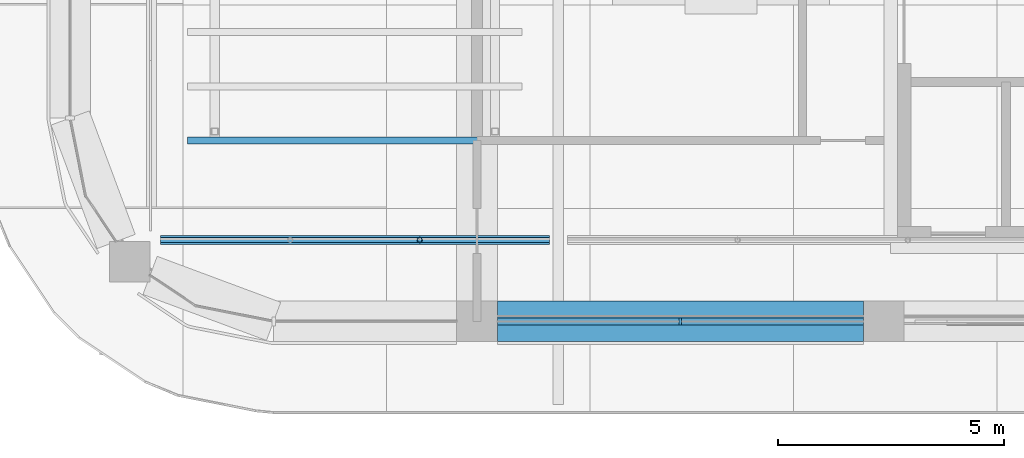
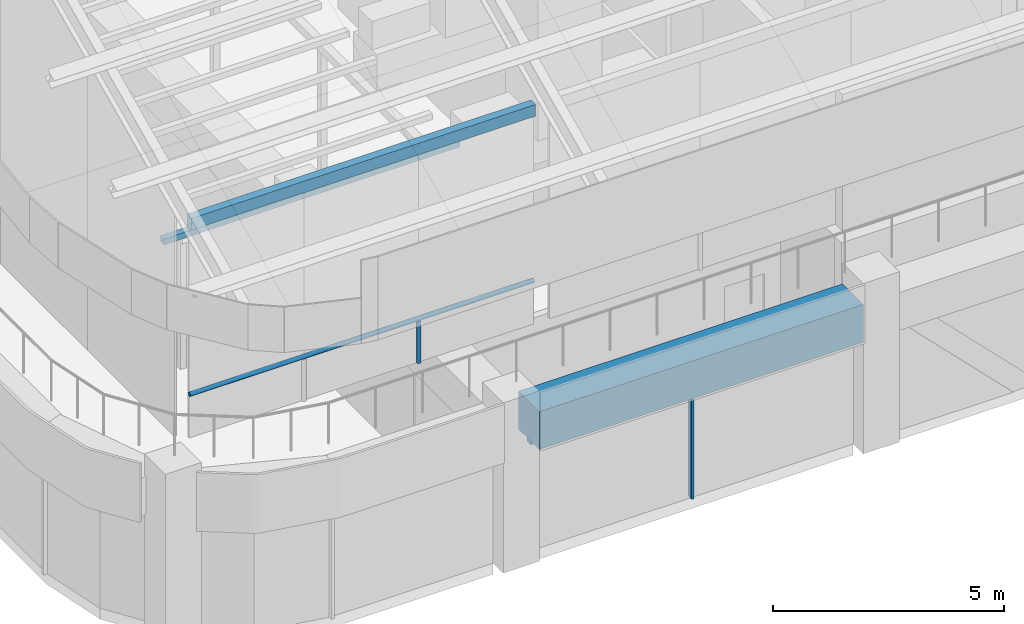
# One storey, part 6 of 31: 5 members, 2 beams, 1 element without a shape of its own.
"""IFC4 building model written with IfcOpenShell, lengths in metres."""

import ifcopenshell
import ifcopenshell.guid

model = None  # the IFC model being written
_history = None  # IfcOwnerHistory: only IFC2X3 demands one
_inside = {}  # id of a spatial element -> (the spatial element, [elements in it])
_under = {}  # id of a project, library or spatial element -> (it, [spatial elements below it])
_declared = {}  # id of a project -> (the project, [libraries it declares])
_typed = {}  # id of a type object -> (the type object, [elements of that type])
_made_of = {}  # id of a material, layer set ... -> (it, [elements and type objects made of it])


def new_model(schema):
    """Start an empty IFC model of exactly this schema.

    Asked for "IFC4X3", IfcOpenShell would pick the latest addendum, in which some entities
    have other attributes; the version numbers below select the first issue.
    IFC2X3 requires an IfcOwnerHistory on every rooted entity: one is made here for all.
    """
    global model, _history
    if schema == "IFC4X3":
        model = ifcopenshell.file(schema_version=(4, 3, 0, 0))
    else:
        model = ifcopenshell.file(schema=schema)
    _inside.clear()
    _under.clear()
    _declared.clear()
    _typed.clear()
    _made_of.clear()
    _history = None
    if model.schema == "IFC2X3":
        org = make("IfcOrganization", Name="unknown")
        user = make(
            "IfcPersonAndOrganization",
            ThePerson=make("IfcPerson", FamilyName="unknown"),
            TheOrganization=org,
        )
        app = make(
            "IfcApplication",
            ApplicationDeveloper=org,
            Version="unknown",
            ApplicationFullName="unknown",
            ApplicationIdentifier="unknown",
        )
        _history = make(
            "IfcOwnerHistory",
            OwningUser=user,
            OwningApplication=app,
            ChangeAction="ADDED",
            CreationDate=0,
        )
    return model


def make(cls, **values):
    """One entity of the class cls with the attributes given. An attribute that is None is left unset."""
    return model.create_entity(
        cls, **{name: value for name, value in values.items() if value is not None}
    )


def rooted(cls, **values):
    """An entity with a GlobalId (a new one), such as an element, a storey or a relation."""
    return make(cls, GlobalId=ifcopenshell.guid.new(), OwnerHistory=_history, **values)


def si_unit(unit_type, name, prefix=None):
    """IfcSIUnit, for example si_unit("LENGTHUNIT", "METRE", prefix="MILLI")."""
    return make("IfcSIUnit", UnitType=unit_type, Prefix=prefix, Name=name)


def assignment(units):
    """IfcUnitAssignment: the units of a project."""
    return None if units is None else make("IfcUnitAssignment", Units=units)


def point(xyz):
    """IfcCartesianPoint."""
    return None if xyz is None else make("IfcCartesianPoint", Coordinates=xyz)


def direction(xyz):
    """IfcDirection."""
    return None if xyz is None else make("IfcDirection", DirectionRatios=xyz)


def frame(location, z_axis=None, x_axis=None):
    """IfcAxis2Placement3D, a coordinate frame: its origin and axes. An axis left out is left unset."""
    return make(
        "IfcAxis2Placement3D",
        Location=point(location),
        Axis=direction(z_axis),
        RefDirection=direction(x_axis),
    )


def frame_2d(location, x_axis=None):
    """IfcAxis2Placement2D, a coordinate frame in the plane: its origin and x axis."""
    return make(
        "IfcAxis2Placement2D", Location=point(location), RefDirection=direction(x_axis)
    )


def origin():
    """The frame at (0, 0, 0) with its axes left unset."""
    return frame((0.0, 0.0, 0.0))


def origin_2d():
    """The frame at (0, 0) in the plane with its x axis left unset."""
    return frame_2d((0.0, 0.0))


def place(relative_to, where):
    """IfcLocalPlacement: puts the frame where relative to a parent placement (None: the world)."""
    return make(
        "IfcLocalPlacement", PlacementRelTo=relative_to, RelativePlacement=where
    )


def context(
    kind, dimensions, precision=None, world=None, true_north=None, identifier=None
):
    """IfcGeometricRepresentationContext, for example the 3D "Model" context."""
    return make(
        "IfcGeometricRepresentationContext",
        ContextIdentifier=identifier,
        ContextType=kind,
        CoordinateSpaceDimension=dimensions,
        Precision=precision,
        WorldCoordinateSystem=world,
        TrueNorth=true_north,
    )


def subcontext(parent, identifier, kind, view, scale=None):
    """IfcGeometricRepresentationSubContext, for example "Body" below "Model"."""
    return make(
        "IfcGeometricRepresentationSubContext",
        ContextIdentifier=identifier,
        ContextType=kind,
        ParentContext=parent,
        TargetScale=scale,
        TargetView=view,
    )


def project(units=None, contexts=None):
    """IfcProject with its units and contexts."""
    return rooted(
        "IfcProject",
        Name="project",
        RepresentationContexts=contexts,
        UnitsInContext=assignment(units),
    )


def spatial(cls, under=None, at=None, **own):
    """A site, building, storey or space (cls), placed at a placement, below another one or the project."""
    s = rooted(cls, ObjectPlacement=at, **own)
    if under is not None:
        _under.setdefault(under.id(), (under, []))[1].append(s)
    return s


def profile(cls, at=None, kind="AREA", **sizes):
    """A parametric profile (cls). Its sizes go by their IFC names, for example OverallWidth=200.0."""
    return make(cls, ProfileType=kind, Position=at, **sizes)


def rectangle(**sizes):
    """IfcRectangleProfileDef."""
    return profile("IfcRectangleProfileDef", **sizes)


def hollow_rectangle(**sizes):
    """IfcRectangleHollowProfileDef."""
    return profile("IfcRectangleHollowProfileDef", **sizes)


def hollow_circle(**sizes):
    """IfcCircleHollowProfileDef."""
    return profile("IfcCircleHollowProfileDef", **sizes)


def extrude(swept, where, along, depth):
    """IfcExtrudedAreaSolid: the profile swept, set in the frame where, extruded along a direction by depth."""
    return make(
        "IfcExtrudedAreaSolid",
        SweptArea=swept,
        Position=where,
        ExtrudedDirection=direction(along),
        Depth=depth,
    )


def shape(context_of_items, identifier, shape_type, items):
    """IfcShapeRepresentation: the items that make up one representation, for example the "Body"."""
    return make(
        "IfcShapeRepresentation",
        ContextOfItems=context_of_items,
        RepresentationIdentifier=identifier,
        RepresentationType=shape_type,
        Items=items,
    )


def material(Name=None, Category=None):
    """IfcMaterial."""
    return make("IfcMaterial", Name=Name, Category=Category)


def material_profile(
    of_material, cross_section, Name=None, Category=None, Priority=None
):
    """IfcMaterialProfile: a cross section and its material."""
    return make(
        "IfcMaterialProfile",
        Name=Name,
        Material=of_material,
        Profile=cross_section,
        Priority=Priority,
        Category=Category,
    )


def profile_set(profiles, Name=None, composite=None):
    """IfcMaterialProfileSet."""
    return make(
        "IfcMaterialProfileSet",
        Name=Name,
        MaterialProfiles=profiles,
        CompositeProfile=composite,
    )


def made_of(thing, what):
    """Note that an element or type object is made of a material, layer set ...; save() writes the relation."""
    if what is not None:
        _made_of.setdefault(what.id(), (what, []))[1].append(thing)
    return thing


def type_object(cls, material=None, **own):
    """A type object (cls), such as IfcWallType, which elements share."""
    return made_of(rooted(cls, **own), material)


def element(
    cls,
    number,
    at=None,
    inside=None,
    cuts=None,
    type_object=None,
    material=None,
    context=None,
    identifier="Body",
    shape_type=None,
    held_by="IfcProductDefinitionShape",
    body=None,
    shapes=None,
    **own,
):
    """One element of the class cls, such as IfcWall. Its Tag is "e" and its number.

    at: its placement. inside: the storey or other place that contains it. cuts: it is an
    opening in that element (IfcRelVoidsElement). A single representation is given by context,
    identifier, shape_type and body (its items); several are given by shapes. held_by: the class
    of the entity that holds the representations. save() writes the other relations.
    """
    e = rooted(cls, Tag="e%d" % number, ObjectPlacement=at, **own)
    if body is not None:
        shapes = [shape(context, identifier, shape_type, body)]
    if shapes is not None:
        e.Representation = make(held_by, Representations=shapes)
    if inside is not None:
        _inside.setdefault(inside.id(), (inside, []))[1].append(e)
    if cuts is not None:
        rooted(
            "IfcRelVoidsElement", RelatingBuildingElement=cuts, RelatedOpeningElement=e
        )
    if type_object is not None:
        _typed.setdefault(type_object.id(), (type_object, []))[1].append(e)
    return made_of(e, material)


def aggregate(whole, parts):
    """IfcRelAggregates: a whole, such as a stair, and the parts it consists of."""
    return rooted("IfcRelAggregates", RelatingObject=whole, RelatedObjects=parts)


def save(model, path):
    """Write the relations noted so far, then the file.

    IfcRelAggregates (storeys below a building ...), IfcRelContainedInSpatialStructure (elements
    in a storey), IfcRelDefinesByType, IfcRelAssociatesMaterial and IfcRelDeclares: one each for
    every whole, place, type object, material and project.
    """
    for whole, parts in _under.values():
        aggregate(whole, parts)
    for where, things in _inside.values():
        rooted(
            "IfcRelContainedInSpatialStructure",
            RelatedElements=things,
            RelatingStructure=where,
        )
    for kind, things in _typed.values():
        rooted("IfcRelDefinesByType", RelatedObjects=things, RelatingType=kind)
    for what, things in _made_of.values():
        rooted("IfcRelAssociatesMaterial", RelatedObjects=things, RelatingMaterial=what)
    for by, libraries in _declared.values():
        rooted("IfcRelDeclares", RelatingContext=by, RelatedDefinitions=libraries)
    model.write(path)


model = new_model("IFC4")

# Units and contexts
model_context = context("Model", 3, precision=1e-05, world=origin(), true_north=direction((0.0, 1.0)))
body_context = subcontext(model_context, "Body", "Model", "MODEL_VIEW")
ifc_project = project(units=[si_unit("LENGTHUNIT", "METRE"), si_unit("AREAUNIT", "SQUARE_METRE"), si_unit("VOLUMEUNIT", "CUBIC_METRE"), si_unit("PLANEANGLEUNIT", "RADIAN"), si_unit("MASSUNIT", "GRAM", prefix="KILO")], contexts=[model_context])

# Site, building, storey
site_placement = place(None, origin())
site = spatial("IfcSite", under=ifc_project, at=site_placement, CompositionType="ELEMENT")
building_placement = place(site_placement, origin())
building = spatial("IfcBuilding", under=site, at=building_placement, Name="Tessera Arch", CompositionType="ELEMENT")
storey_placement = place(building_placement, frame((0.0, 0.0, 320.699951171875)))
storey = spatial("IfcBuildingStorey", under=building, at=storey_placement, Name="L77", CompositionType="ELEMENT", Elevation=320.699951171875)

# Curtain wall, members
ifc_material_1 = material(Name="CW1 curtain wall")
curtain_wall_type = type_object("IfcCurtainWallType", Name="CW1 curtain wall", PredefinedType="NOTDEFINED", material=ifc_material_1)
curtain_wall_placement = place(storey_placement, origin())
curtain_wall = element("IfcCurtainWall", 1, at=curtain_wall_placement, inside=storey, type_object=curtain_wall_type, Name="CW1 curtain wall S27.18/1 L77", PredefinedType="NOTDEFINED")
ifc_material_2 = material(Name="Anodised aluminium pale metal", Category="aluminium")
ifc_material_profile_1 = material_profile(ifc_material_2, rectangle(XDim=0.159912109375, YDim=0.06005859375, at=origin_2d()), Name="AL 60x160")
ifc_profile_set_1 = profile_set([ifc_material_profile_1], Name="Anodised aluminium pale metal")
member_type_1 = type_object("IfcMemberType", Name="CW1 mullion", PredefinedType="MULLION", material=ifc_profile_set_1)
member_1_placement = place(storey_placement, frame((31.5, 27.0, 0.0), z_axis=(0.0, 0.0, 1.0), x_axis=(0.0, 1.0, 0.0)))
member_1 = element("IfcMember", 2, at=member_1_placement, type_object=member_type_1, Name="CW1 mullion S27.18/1 1", PredefinedType="MULLION", context=body_context, shape_type="SweptSolid", body=[
    extrude(rectangle(XDim=0.159912109375, YDim=0.06005859375, at=origin_2d()), origin(), (0.0, 0.0, 1.0), 2.85009765625),
])
ifc_material_3 = material(Name="Anodised aluminium pale metal", Category="aluminium")
ifc_material_profile_2 = material_profile(ifc_material_3, rectangle(XDim=0.159912109375, YDim=0.10009765625, at=origin_2d()), Name="AL 160x100")
ifc_profile_set_2 = profile_set([ifc_material_profile_2], Name="Anodised aluminium pale metal")
member_type_2 = type_object("IfcMemberType", Name="CW1 transom", PredefinedType="USERDEFINED", material=ifc_profile_set_2)
member_2_placement = place(storey_placement, frame((27.449951171875, 27.0, 2.900146484375), z_axis=(1.0, 0.0, 0.0), x_axis=(0.0, 1.0, 0.0)))
member_2 = element("IfcMember", 3, at=member_2_placement, type_object=member_type_2, Name="CW1 transom S27.18/1 1.1", ObjectType="TRANSOM", PredefinedType="USERDEFINED", context=body_context, shape_type="SweptSolid", body=[
    extrude(rectangle(XDim=0.159912109375, YDim=0.10009765625, at=origin_2d()), origin(), (0.0, 0.0, 1.0), 8.10009765625),
])
aggregate(curtain_wall, [member_1, member_2])

# Member
ifc_material_4 = material(Name="Steel A500 Gr C", Category="steel")
ifc_material_profile_3 = material_profile(ifc_material_4, hollow_circle(Radius=0.056884765625, WallThickness=0.006103515625, at=origin_2d()), Name="Crown parapet post CHS114x6")
ifc_profile_set_3 = profile_set([ifc_material_profile_3], Name="Steel A500 Gr C")
member_type_3 = type_object("IfcMemberType", Name="Crown parapet post CHS114x6", PredefinedType="POST", material=ifc_profile_set_3)
member_3_placement = place(storey_placement, frame((25.7333984375, 28.800048828125, 4.5), z_axis=(0.0, 0.0, 1.0), x_axis=(1.0, 0.0, 0.0)))
element("IfcMember", 4, at=member_3_placement, inside=storey, type_object=member_type_3, Name="CROWN parapet post S1-2", PredefinedType="POST", context=body_context, shape_type="SweptSolid", body=[
    extrude(hollow_circle(Radius=0.056884765625, WallThickness=0.006103515625, at=origin_2d()), origin(), (0.0, 0.0, 1.0), 1.10009765625),
])

# Beam
ifc_material_5 = material(Name="Steel A500 Gr C", Category="steel")
ifc_material_profile_4 = material_profile(ifc_material_5, hollow_rectangle(XDim=0.203125, YDim=0.3046875, WallThickness=0.0087890625, at=origin_2d()), Name="HSS12x8x3/8")
ifc_profile_set_4 = profile_set([ifc_material_profile_4], Name="Steel A500 Gr C")
beam_type_1 = type_object("IfcBeamType", Name="Crown ring beam HSS12x8x3/8", PredefinedType="BEAM", material=ifc_profile_set_4)
beam_1_placement = place(storey_placement, frame((20.0, 28.800048828125, 10.208251953125), z_axis=(1.0, 0.0, 0.0), x_axis=(0.0, 1.0, 0.0)))
element("IfcBeam", 5, at=beam_1_placement, inside=storey, type_object=beam_type_1, Name="Crown ring beam S1", PredefinedType="BEAM", context=body_context, shape_type="SweptSolid", body=[
    extrude(hollow_rectangle(XDim=0.203125, YDim=0.3046875, WallThickness=0.0087890625, at=origin_2d()), origin(), (0.0, 0.0, 1.0), 8.60009765625),
])

# Members
ifc_material_6 = material(Name="Steel A500 Gr C", Category="steel")
ifc_material_profile_5 = material_profile(ifc_material_6, hollow_circle(Radius=0.056884765625, WallThickness=0.006103515625, at=origin_2d()), Name="Crown trellis rail CHS114x6")
ifc_profile_set_5 = profile_set([ifc_material_profile_5], Name="Steel A500 Gr C")
member_type_4 = type_object("IfcMemberType", Name="Crown trellis rail CHS114x6", PredefinedType="STRINGER", material=ifc_profile_set_5)
member_4_placement = place(storey_placement, frame((20.0, 28.800048828125, 5.656982421875), z_axis=(1.0, 0.0, 0.0), x_axis=(0.0, 1.0, 0.0)))
element("IfcMember", 6, at=member_4_placement, inside=storey, type_object=member_type_4, Name="CROWN trellis rail S1", PredefinedType="STRINGER", context=body_context, shape_type="SweptSolid", body=[
    extrude(hollow_circle(Radius=0.056884765625, WallThickness=0.006103515625, at=origin_2d()), origin(), (0.0, 0.0, 1.0), 8.60009765625),
])
ifc_material_7 = material(Name="Steel A500 Gr C", Category="steel")
ifc_material_profile_6 = material_profile(ifc_material_7, hollow_rectangle(XDim=0.15234375, YDim=0.15234375, WallThickness=0.005859375, at=origin_2d()), Name="HSS6x6x1/4")
ifc_profile_set_6 = profile_set([ifc_material_profile_6], Name="Steel A500 Gr C")
member_type_5 = type_object("IfcMemberType", Name="Pergola rafter HSS6x6x1/4", PredefinedType="RAFTER", material=ifc_profile_set_6)
member_5_placement = place(storey_placement, frame((20.60009765625, 31.0, 8.179443359375), z_axis=(1.0, 0.0, 0.0), x_axis=(0.0, 1.0, 0.0)))
element("IfcMember", 7, at=member_5_placement, inside=storey, type_object=member_type_5, Name="Pergola rafter 1", PredefinedType="RAFTER", context=body_context, shape_type="SweptSolid", body=[
    extrude(hollow_rectangle(XDim=0.15234375, YDim=0.15234375, WallThickness=0.005859375, at=origin_2d()), origin(), (0.0, 0.0, 1.0), 7.39990234375),
])

# Beam
ifc_material_8 = material(Name="Concrete C50/60", Category="concrete")
ifc_material_profile_7 = material_profile(ifc_material_8, rectangle(XDim=0.89990234375, YDim=1.0, at=origin_2d()), Name="RC spandrel beam 900 x 1000 Concrete C50/60")
ifc_profile_set_7 = profile_set([ifc_material_profile_7], Name="Concrete C50/60")
beam_type_2 = type_object("IfcBeamType", Name="RC spandrel beam 900 x 1000 Concrete C50/60", PredefinedType="BEAM", material=ifc_profile_set_7)
beam_2_placement = place(storey_placement, frame((27.449951171875, 27.0, 3.449951171875), z_axis=(1.0, 0.0, 0.0), x_axis=(0.0, 1.0, 0.0)))
element("IfcBeam", 8, at=beam_2_placement, inside=storey, type_object=beam_type_2, Name="Spandrel beam L77 S27.18/1", PredefinedType="BEAM", context=body_context, shape_type="SweptSolid", body=[
    extrude(rectangle(XDim=0.89990234375, YDim=1.0, at=origin_2d()), origin(), (0.0, 0.0, 1.0), 8.10009765625),
])

save(model, "model.ifc")
